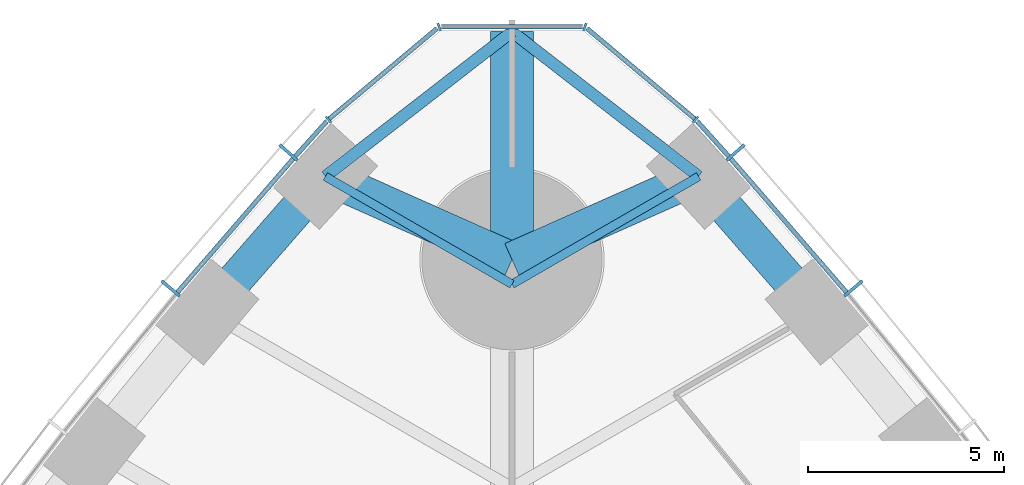
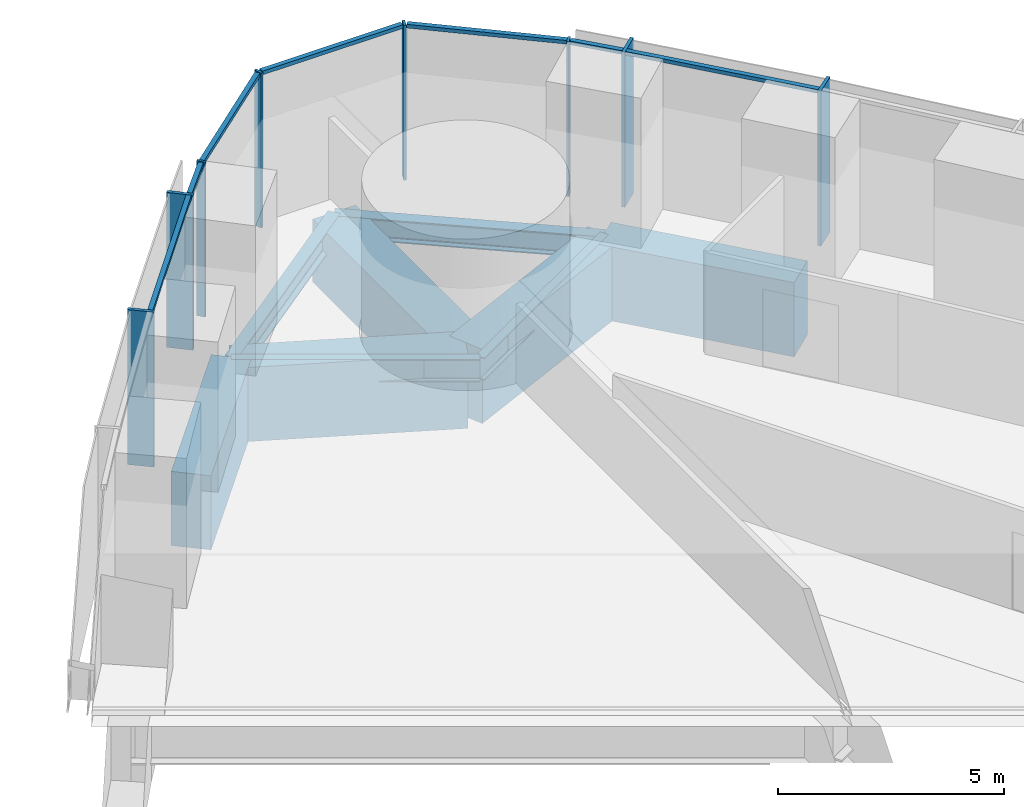
# One storey, part 7 of 18: 15 members, 9 beams, 3 elements without a shape of their own.
"""IFC4 building model written with IfcOpenShell, lengths in metres."""

from ifc_helpers import new_model, si_unit, direction, frame, origin, origin_2d, place, context, subcontext, project, spatial, rectangle, i_section, extrude, material, material_profile, profile_set, type_object, element, aggregate, save


model = new_model("IFC4")

# Units and contexts
model_context = context("Model", 3, precision=1e-05, world=origin(), true_north=direction((0.0, 1.0)))
body_context = subcontext(model_context, "Body", "Model", "MODEL_VIEW")
ifc_project = project(units=[si_unit("LENGTHUNIT", "METRE"), si_unit("AREAUNIT", "SQUARE_METRE"), si_unit("VOLUMEUNIT", "CUBIC_METRE"), si_unit("PLANEANGLEUNIT", "RADIAN"), si_unit("MASSUNIT", "GRAM", prefix="KILO")], contexts=[model_context])

# Site, building, storey
site_placement = place(None, origin())
site = spatial("IfcSite", under=ifc_project, at=site_placement, CompositionType="ELEMENT")
building_placement = place(site_placement, origin())
building = spatial("IfcBuilding", under=site, at=building_placement, Name="Trefoil Bronze Tower", CompositionType="ELEMENT")
storey_placement = place(building_placement, frame((0.0, 0.0, 62.699951171875)))
storey = spatial("IfcBuildingStorey", under=building, at=storey_placement, Name="L14", CompositionType="ELEMENT", Elevation=62.699951171875)

# Curtain wall, members
ifc_material_1 = material(Name="Tinted solar-control glass", Category="glass")
curtain_wall_type_1 = type_object("IfcCurtainWallType", Name="Bronze office curtain wall", PredefinedType="USERDEFINED", material=ifc_material_1)
curtain_wall_1_placement = place(storey_placement, origin())
curtain_wall_1 = element("IfcCurtainWall", 1, at=curtain_wall_1_placement, inside=storey, type_object=curtain_wall_type_1, Name="CW-A L14 F2", ObjectType="CURTAIN WALL", PredefinedType="USERDEFINED")
ifc_material_2 = material(Name="Bronze-finish aluminium", Category="aluminium")
ifc_material_profile_1 = material_profile(ifc_material_2, rectangle(XDim=0.60009765625, YDim=0.080078125, at=origin_2d()), Name="CW-A mullion")
ifc_profile_set_1 = profile_set([ifc_material_profile_1], Name="Bronze-finish aluminium")
member_type_1 = type_object("IfcMemberType", Name="Bronze office curtain wall mullion", PredefinedType="MULLION", material=ifc_profile_set_1)
member_1_placement = place(storey_placement, frame((8.709716796875, 36.265869140625, 0.0), z_axis=(0.0, 0.0, 1.0), x_axis=(-0.765729101889, -0.643163231629, 0.0)))
member_1 = element("IfcMember", 2, at=member_1_placement, type_object=member_type_1, Name="CW-A L14 F2 mullion 15", PredefinedType="MULLION", context=body_context, shape_type="SweptSolid", body=[
    extrude(rectangle(XDim=0.60009765625, YDim=0.080078125, at=origin_2d()), origin(), (0.0, 0.0, 1.0), 4.179931640625),
])
member_2_placement = place(storey_placement, frame((5.70654296875, 39.736328125, 0.0), z_axis=(0.0, 0.0, 1.0), x_axis=(-0.7499405861, -0.661505190698, 0.0)))
member_2 = element("IfcMember", 3, at=member_2_placement, type_object=member_type_1, Name="CW-A L14 F2 mullion 16", PredefinedType="MULLION", context=body_context, shape_type="SweptSolid", body=[
    extrude(rectangle(XDim=0.60009765625, YDim=0.080078125, at=origin_2d()), origin(), (0.0, 0.0, 1.0), 4.179931640625),
])

curtain_wall_2_placement = place(storey_placement, origin())
curtain_wall_2 = element("IfcCurtainWall", 4, at=curtain_wall_2_placement, inside=storey, type_object=curtain_wall_type_1, Name="CW-A L14 F3", ObjectType="CURTAIN WALL", PredefinedType="USERDEFINED")
member_3_placement = place(storey_placement, frame((-5.70654296875, 39.736328125, 0.0), z_axis=(0.0, 0.0, 1.0), x_axis=(0.7499405861, -0.661505190698, 0.0)))
member_3 = element("IfcMember", 5, at=member_3_placement, type_object=member_type_1, Name="CW-A L14 F3 mullion 2", PredefinedType="MULLION", context=body_context, shape_type="SweptSolid", body=[
    extrude(rectangle(XDim=0.60009765625, YDim=0.080078125, at=origin_2d()), origin(), (0.0, 0.0, 1.0), 4.179931640625),
])
member_4_placement = place(storey_placement, frame((-8.709716796875, 36.265869140625, 0.0), z_axis=(0.0, 0.0, 1.0), x_axis=(0.765729101889, -0.643163231629, 0.0)))
member_4 = element("IfcMember", 6, at=member_4_placement, type_object=member_type_1, Name="CW-A L14 F3 mullion 3", PredefinedType="MULLION", context=body_context, shape_type="SweptSolid", body=[
    extrude(rectangle(XDim=0.60009765625, YDim=0.080078125, at=origin_2d()), origin(), (0.0, 0.0, 1.0), 4.179931640625),
])

# Member
ifc_material_3 = material(Name="Bronze-finish aluminium", Category="aluminium")
ifc_material_profile_2 = material_profile(ifc_material_3, rectangle(XDim=0.1201171875, YDim=0.10009765625, at=origin_2d()), Name="CW-A transom")
ifc_profile_set_2 = profile_set([ifc_material_profile_2], Name="Bronze-finish aluminium")
member_type_2 = type_object("IfcMemberType", Name="Bronze office curtain wall transom", PredefinedType="USERDEFINED", material=ifc_profile_set_2)
member_5_placement = place(storey_placement, frame((8.529541015625, 36.16845703125, 4.130126953125), z_axis=(-0.654383303203, 0.75616300656, 0.0), x_axis=(-0.75616300656, -0.654383303203, 0.0)))
member_5 = element("IfcMember", 7, at=member_5_placement, type_object=member_type_2, Name="CW-A L14 F2 transom 15", ObjectType="TRANSOM", PredefinedType="USERDEFINED", context=body_context, shape_type="SweptSolid", body=[
    extrude(rectangle(XDim=0.1201171875, YDim=0.10009765625, at=origin_2d()), origin(), (0.0, 0.0, 1.0), 4.50244140625),
])

member_6_placement = place(storey_placement, frame((5.529052734375, 39.634521484375, 4.130126953125), z_axis=(-0.66858567461, 0.743635122695, 0.0), x_axis=(-0.743635122695, -0.66858567461, 0.0)))
member_6 = element("IfcMember", 8, at=member_6_placement, type_object=member_type_2, Name="CW-A L14 F2 transom 16", ObjectType="TRANSOM", PredefinedType="USERDEFINED", context=body_context, shape_type="SweptSolid", body=[
    extrude(rectangle(XDim=0.1201171875, YDim=0.10009765625, at=origin_2d()), origin(), (0.0, 0.0, 1.0), 1.210205078125),
])

aggregate(curtain_wall_1, [member_1, member_2, member_5, member_6])

member_7_placement = place(storey_placement, frame((-4.719970703125, 40.534423828125, 4.130126953125), z_axis=(-0.66858567461, -0.743635122695, 0.0), x_axis=(0.743635122695, -0.66858567461, 0.0)))
member_7 = element("IfcMember", 9, at=member_7_placement, type_object=member_type_2, Name="CW-A L14 F3 transom 1", ObjectType="TRANSOM", PredefinedType="USERDEFINED", context=body_context, shape_type="SweptSolid", body=[
    extrude(rectangle(XDim=0.1201171875, YDim=0.10009765625, at=origin_2d()), origin(), (0.0, 0.0, 1.0), 1.210205078125),
])

member_8_placement = place(storey_placement, frame((-5.583251953125, 39.572998046875, 4.130126953125), z_axis=(-0.654383303203, -0.75616300656, 0.0), x_axis=(0.75616300656, -0.654383303203, 0.0)))
member_8 = element("IfcMember", 10, at=member_8_placement, type_object=member_type_2, Name="CW-A L14 F3 transom 2", ObjectType="TRANSOM", PredefinedType="USERDEFINED", context=body_context, shape_type="SweptSolid", body=[
    extrude(rectangle(XDim=0.1201171875, YDim=0.10009765625, at=origin_2d()), origin(), (0.0, 0.0, 1.0), 4.50244140625),
])

aggregate(curtain_wall_2, [member_3, member_4, member_7, member_8])

# Curtain wall, members
ifc_material_4 = material(Name="Tinted solar-control glass", Category="glass")
curtain_wall_type_2 = type_object("IfcCurtainWallType", Name="Bronze rounded corner curtain wall", PredefinedType="USERDEFINED", material=ifc_material_4)
curtain_wall_3_placement = place(storey_placement, origin())
curtain_wall_3 = element("IfcCurtainWall", 11, at=curtain_wall_3_placement, inside=storey, type_object=curtain_wall_type_2, Name="CW-B L14 K2", ObjectType="CURTAIN WALL", PredefinedType="USERDEFINED")
ifc_material_5 = material(Name="Bronze-finish aluminium", Category="aluminium")
ifc_material_profile_3 = material_profile(ifc_material_5, rectangle(XDim=0.199951171875, YDim=0.06005859375, at=origin_2d()), Name="CW-B mullion")
ifc_profile_set_3 = profile_set([ifc_material_profile_3], Name="Bronze-finish aluminium")
member_type_3 = type_object("IfcMemberType", Name="Bronze rounded corner curtain wall mullion", PredefinedType="MULLION", material=ifc_profile_set_3)
member_9_placement = place(storey_placement, frame((4.68310546875, 40.573974609375, 0.0), z_axis=(0.0, 0.0, 1.0), x_axis=(-0.642787609687, -0.766044443119, 0.0)))
member_9 = element("IfcMember", 12, at=member_9_placement, type_object=member_type_3, Name="CW-B L14 K2 mullion 1", PredefinedType="MULLION", context=body_context, shape_type="SweptSolid", body=[
    extrude(rectangle(XDim=0.199951171875, YDim=0.06005859375, at=origin_2d()), origin(), (0.0, 0.0, 1.0), 4.179931640625),
])
member_10_placement = place(storey_placement, frame((1.8583984375, 42.9365234375, 0.0), z_axis=(0.0, 0.0, 1.0), x_axis=(-0.342020143326, -0.939692620786, 0.0)))
member_10 = element("IfcMember", 13, at=member_10_placement, type_object=member_type_3, Name="CW-B L14 K2 mullion 2", PredefinedType="MULLION", context=body_context, shape_type="SweptSolid", body=[
    extrude(rectangle(XDim=0.199951171875, YDim=0.06005859375, at=origin_2d()), origin(), (0.0, 0.0, 1.0), 4.179931640625),
])
member_11_placement = place(storey_placement, frame((-1.8583984375, 42.9365234375, 0.0), z_axis=(0.0, 0.0, 1.0), x_axis=(0.342020143326, -0.939692620786, 0.0)))
member_11 = element("IfcMember", 14, at=member_11_placement, type_object=member_type_3, Name="CW-B L14 K2 mullion 3", PredefinedType="MULLION", context=body_context, shape_type="SweptSolid", body=[
    extrude(rectangle(XDim=0.199951171875, YDim=0.06005859375, at=origin_2d()), origin(), (0.0, 0.0, 1.0), 4.179931640625),
])
member_12_placement = place(storey_placement, frame((-4.68310546875, 40.573974609375, 0.0), z_axis=(0.0, 0.0, 1.0), x_axis=(0.642787609687, -0.766044443119, 0.0)))
member_12 = element("IfcMember", 15, at=member_12_placement, type_object=member_type_3, Name="CW-B L14 K2 mullion 4", PredefinedType="MULLION", context=body_context, shape_type="SweptSolid", body=[
    extrude(rectangle(XDim=0.199951171875, YDim=0.06005859375, at=origin_2d()), origin(), (0.0, 0.0, 1.0), 4.179931640625),
])
ifc_material_6 = material(Name="Bronze-finish aluminium", Category="aluminium")
ifc_material_profile_4 = material_profile(ifc_material_6, rectangle(XDim=0.1201171875, YDim=0.10009765625, at=origin_2d()), Name="CW-B transom")
ifc_profile_set_4 = profile_set([ifc_material_profile_4], Name="Bronze-finish aluminium")
member_type_4 = type_object("IfcMemberType", Name="Bronze rounded corner curtain wall transom", PredefinedType="USERDEFINED", material=ifc_profile_set_4)
member_13_placement = place(storey_placement, frame((4.66015625, 40.59326171875, 4.130126953125), z_axis=(-0.766058606238, 0.642770730361, 0.0), x_axis=(-0.642770730361, -0.766058606238, 0.0)))
member_13 = element("IfcMember", 16, at=member_13_placement, type_object=member_type_4, Name="CW-B L14 K2 transom 1", ObjectType="TRANSOM", PredefinedType="USERDEFINED", context=body_context, shape_type="SweptSolid", body=[
    extrude(rectangle(XDim=0.1201171875, YDim=0.10009765625, at=origin_2d()), origin(), (0.0, 0.0, 1.0), 3.588134765625),
])
member_14_placement = place(storey_placement, frame((1.794189453125, 42.9423828125, 4.130126953125), z_axis=(-1.0, 0.0, 0.0), x_axis=(0.0, -1.0, 0.0)))
member_14 = element("IfcMember", 17, at=member_14_placement, type_object=member_type_4, Name="CW-B L14 K2 transom 2", ObjectType="TRANSOM", PredefinedType="USERDEFINED", context=body_context, shape_type="SweptSolid", body=[
    extrude(rectangle(XDim=0.1201171875, YDim=0.10009765625, at=origin_2d()), origin(), (0.0, 0.0, 1.0), 3.58837890625),
])
member_15_placement = place(storey_placement, frame((-1.911376953125, 42.899658203125, 4.130126953125), z_axis=(-0.766058606238, -0.642770730361, 0.0), x_axis=(0.642770730361, -0.766058606238, 0.0)))
member_15 = element("IfcMember", 18, at=member_15_placement, type_object=member_type_4, Name="CW-B L14 K2 transom 3", ObjectType="TRANSOM", PredefinedType="USERDEFINED", context=body_context, shape_type="SweptSolid", body=[
    extrude(rectangle(XDim=0.1201171875, YDim=0.10009765625, at=origin_2d()), origin(), (0.0, 0.0, 1.0), 3.588134765625),
])
aggregate(curtain_wall_3, [member_9, member_10, member_11, member_12, member_13, member_14, member_15])

# Beams
ifc_material_7 = material(Name="Concrete B80", Category="concrete")
ifc_material_profile_5 = material_profile(ifc_material_7, rectangle(XDim=1.10009765625, YDim=1.699951171875, at=origin_2d()), Name="RC 1100x1700")
ifc_profile_set_5 = profile_set([ifc_material_profile_5], Name="Concrete B80")
beam_type_1 = type_object("IfcBeamType", Name="Corner cantilever RC 1100x1700", PredefinedType="BEAM", material=ifc_profile_set_5)
beam_placement = place(storey_placement, frame((0.0, 37.0, -1.050048828125), z_axis=(0.0, 1.0, 0.0), x_axis=(-1.0, 0.0, 0.0)))
element("IfcBeam", 19, at=beam_placement, inside=storey, type_object=beam_type_1, Name="Corner cantilever K2 L14", PredefinedType="BEAM", context=body_context, shape_type="SweptSolid", body=[
    extrude(rectangle(XDim=1.10009765625, YDim=1.699951171875, at=origin_2d()), origin(), (0.0, 0.0, 1.0), 5.814208984375),
])
ifc_material_8 = material(Name="Steel C355", Category="steel")
ifc_material_profile_6 = material_profile(ifc_material_8, i_section(OverallWidth=0.300048828125, OverallDepth=0.60009765625, WebThickness=0.015380859375, FlangeThickness=0.030029296875, FilletRadius=0.027099609375, at=origin_2d()), Name="HEB 600")
ifc_profile_set_6 = profile_set([ifc_material_profile_6], Name="Steel C355")
beam_type_2 = type_object("IfcBeamType", Name="Corner edge beam HEB 600", PredefinedType="BEAM", material=ifc_profile_set_6)
for number, where, z_axis, x_axis, name in (
    (20, (4.76171875, 39.122314453125, -0.5), (-0.790289474622, 0.612733666696, 0.0), (-0.612733666696, -0.790289474622, 0.0), "Corner edge beam F2A L14"),
    (21, (-4.76171875, 39.122314453125, -0.5), (0.790289474622, 0.612733666696, 0.0), (-0.612733666696, 0.790289474622, 0.0), "Corner edge beam F3B L14"),
):
    element("IfcBeam", number, at=place(storey_placement, frame(where, z_axis=z_axis, x_axis=x_axis)), inside=storey, type_object=beam_type_2, Name=name, PredefinedType="BEAM", context=body_context, shape_type="SweptSolid", body=[
        extrude(i_section(OverallWidth=0.300048828125, OverallDepth=0.60009765625, WebThickness=0.015380859375, FlangeThickness=0.030029296875, FilletRadius=0.027099609375, at=origin_2d()), origin(), (0.0, 0.0, 1.0), 6.025390625),
    ])
ifc_material_9 = material(Name="Concrete B80", Category="concrete")
ifc_material_profile_7 = material_profile(ifc_material_9, rectangle(XDim=0.89990234375, YDim=2.0, at=origin_2d()), Name="RC 900x2000")
ifc_profile_set_7 = profile_set([ifc_material_profile_7], Name="Concrete B80")
beam_type_3 = type_object("IfcBeamType", Name="End spandrel beam RC 900x2000", PredefinedType="SPANDREL", material=ifc_profile_set_7)
for number, where, z_axis, x_axis, name in (
    (22, (4.76171875, 39.122314453125, -1.199951171875), (-0.913384257879, -0.407098510754, 0.0), (0.407098510754, -0.913384257879, 0.0), "Spandrel F2.16 L14"),
    (23, (0.0, 37.0, -1.199951171875), (-0.913384257879, 0.407098510754, 0.0), (-0.407098510754, -0.913384257879, 0.0), "Spandrel F3.1 L14"),
):
    element("IfcBeam", number, at=place(storey_placement, frame(where, z_axis=z_axis, x_axis=x_axis)), inside=storey, type_object=beam_type_3, Name=name, PredefinedType="SPANDREL", context=body_context, shape_type="SweptSolid", body=[
        extrude(rectangle(XDim=0.89990234375, YDim=2.0, at=origin_2d()), origin(), (0.0, 0.0, 1.0), 5.21337890625),
    ])
ifc_material_10 = material(Name="Steel C355", Category="steel")
ifc_material_profile_8 = material_profile(ifc_material_10, i_section(OverallWidth=0.219970703125, OverallDepth=0.60009765625, WebThickness=0.011962890625, FlangeThickness=0.01904296875, FilletRadius=0.02392578125, at=origin_2d()), Name="IPE 600")
ifc_profile_set_8 = profile_set([ifc_material_profile_8], Name="Steel C355")
beam_type_4 = type_object("IfcBeamType", Name="Floor beam IPE 600", PredefinedType="BEAM", material=ifc_profile_set_8)
for number, where, z_axis, x_axis, name in (
    (24, (4.76171875, 39.122314453125, -0.5), (-0.866018475376, -0.500012000164, 0.0), (0.500012000164, -0.866018475376, 0.0), "Floor beam F2/+7 L14"),
    (25, (-4.76171875, 39.122314453125, -0.5), (0.866018475376, -0.500012000164, 0.0), (0.500012000164, 0.866018475376, 0.0), "Floor beam F3/-7 L14"),
):
    element("IfcBeam", number, at=place(storey_placement, frame(where, z_axis=z_axis, x_axis=x_axis)), inside=storey, type_object=beam_type_4, Name=name, PredefinedType="BEAM", context=body_context, shape_type="SweptSolid", body=[
        extrude(i_section(OverallWidth=0.219970703125, OverallDepth=0.60009765625, WebThickness=0.011962890625, FlangeThickness=0.01904296875, FilletRadius=0.02392578125, at=origin_2d()), origin(), (0.0, 0.0, 1.0), 5.498291015625),
    ])
ifc_material_11 = material(Name="Concrete B80", Category="concrete")
ifc_material_profile_9 = material_profile(ifc_material_11, rectangle(XDim=0.89990234375, YDim=2.0, at=origin_2d()), Name="RC 900x2000")
ifc_profile_set_9 = profile_set([ifc_material_profile_9], Name="Concrete B80")
beam_type_5 = type_object("IfcBeamType", Name="Spandrel beam RC 900x2000", PredefinedType="SPANDREL", material=ifc_profile_set_9)
for number, where, z_axis, x_axis, name in (
    (26, (7.7763671875, 35.666748046875, -1.199951171875), (-0.657395767989, 0.753545489158, 0.0), (-0.753545489158, -0.657395767989, 0.0), "Spandrel F2.15 L14"),
    (27, (-4.76171875, 39.122314453125, -1.199951171875), (-0.657395767989, -0.753545489158, 0.0), (0.753545489158, -0.657395767989, 0.0), "Spandrel F3.2 L14"),
):
    element("IfcBeam", number, at=place(storey_placement, frame(where, z_axis=z_axis, x_axis=x_axis)), inside=storey, type_object=beam_type_5, Name=name, PredefinedType="SPANDREL", context=body_context, shape_type="SweptSolid", body=[
        extrude(rectangle(XDim=0.89990234375, YDim=2.0, at=origin_2d()), origin(), (0.0, 0.0, 1.0), 4.585693359375),
    ])

save(model, "model.ifc")
